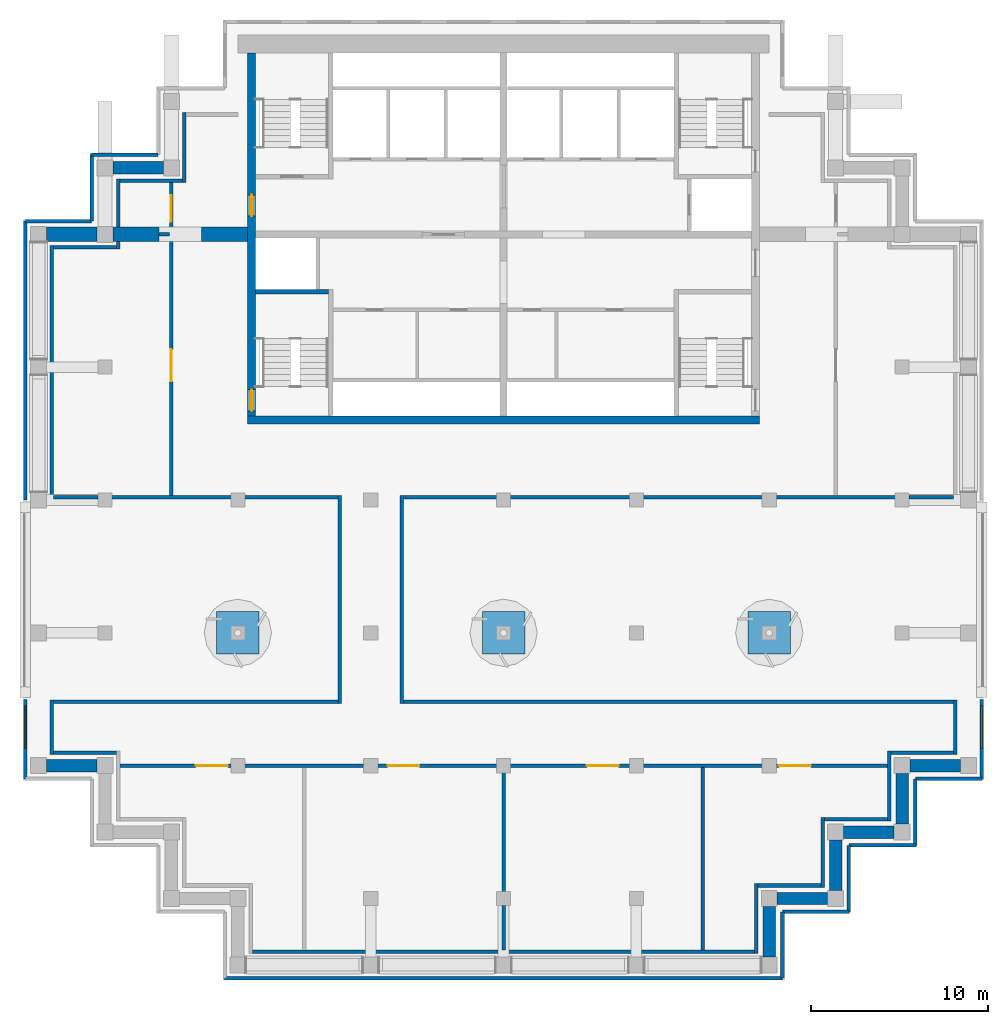
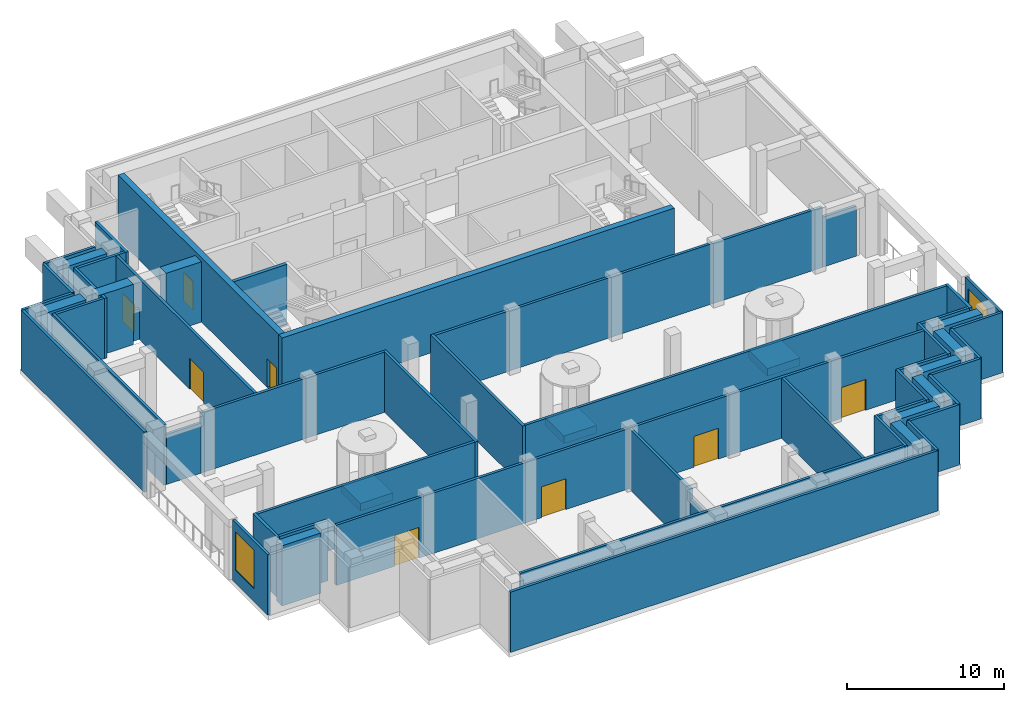
# One storey, part 2 of 8: 60 walls, 8 doors, 2 windows, 10 openings.
"""IFC4 building model written with IfcOpenShell, lengths in metres."""

from ifc_helpers import new_model, si_unit, direction, frame, frame_2d, origin, place, context, subcontext, project, spatial, rectangle, extrude, material, layer, layer_set, type_object, element, fill, save


model = new_model("IFC4")

# Units and contexts
model_context = context("Model", 3, precision=1e-05, world=origin(), true_north=direction((0.0, 1.0)))
body_context = subcontext(model_context, "Body", "Model", "MODEL_VIEW")
ifc_project = project(units=[si_unit("LENGTHUNIT", "METRE"), si_unit("AREAUNIT", "SQUARE_METRE"), si_unit("VOLUMEUNIT", "CUBIC_METRE"), si_unit("PLANEANGLEUNIT", "RADIAN"), si_unit("MASSUNIT", "GRAM", prefix="KILO")], contexts=[model_context])

# Site, building, storey
site_placement = place(None, origin())
site = spatial("IfcSite", under=ifc_project, at=site_placement, CompositionType="ELEMENT")
building_placement = place(site_placement, origin())
building = spatial("IfcBuilding", under=site, at=building_placement, Name="Pilkhan Gate Tower", CompositionType="ELEMENT")
storey_placement = place(building_placement, frame((0.0, 0.0, 253.5)))
storey = spatial("IfcBuildingStorey", under=building, at=storey_placement, Name="L66", CompositionType="ELEMENT", Elevation=253.5)

# Walls
ifc_material_1 = material(Name="Concrete C60/75", Category="concrete")
ifc_layer_1 = layer(ifc_material_1, 0.699951171875)
ifc_layer_set_1 = layer_set([ifc_layer_1], Name="Belt wall BW700 C60/75")
wall_type_1 = type_object("IfcWallType", Name="Belt wall BW700 C60/75", PredefinedType="SHEAR", material=ifc_layer_set_1)
for number, where, z_axis, x_axis, name in (
    (1, (100.800048828125, 52.5, 0.0), (0.0, 0.0, 1.0), (-1.0, 0.0, 0.0), "Belt wall 1 L66"),
    (2, (97.5, 52.050048828125, 0.0), (0.0, 0.0, 1.0), (0.0, -1.0, 0.0), "Belt wall 2 L66"),
    (3, (97.050048828125, 48.75, 0.0), (0.0, 0.0, 1.0), (-1.0, 0.0, 0.0), "Belt wall 3 L66"),
    (4, (93.75, 48.300048828125, 0.0), (0.0, 0.0, 1.0), (0.0, -1.0, 0.0), "Belt wall 4 L66"),
    (5, (93.300048828125, 45.0, 0.0), (0.0, 0.0, 1.0), (-1.0, 0.0, 0.0), "Belt wall 5 L66"),
    (6, (90.0, 44.550048828125, 0.0), (0.0, 0.0, 1.0), (0.0, -1.0, 0.0), "Belt wall 6 L66"),
    (7, (52.050048828125, 52.5, 0.0), (0.0, 0.0, 1.0), (-1.0, 0.0, 0.0), "Belt wall 16 L66"),
    (8, (52.949951171875, 86.25, 0.0), (0.0, 0.0, 1.0), (1.0, 0.0, 0.0), "Belt wall 19 L66"),
):
    element("IfcWall", number, at=place(storey_placement, frame(where, z_axis=z_axis, x_axis=x_axis)), inside=storey, type_object=wall_type_1, Name=name, PredefinedType="SHEAR", context=body_context, shape_type="SweptSolid", body=[
        extrude(rectangle(XDim=2.85009765625, YDim=0.699951171875, at=frame_2d((1.425048828125, 0.0))), origin(), (0.0, 0.0, 1.0), 4.699951171875),
    ])
ifc_material_2 = material(Name="Concrete C50/60", Category="concrete")
ifc_layer_2 = layer(ifc_material_2, 0.449951171875)
ifc_layer_set_2 = layer_set([ifc_layer_2], Name="Core wall CW450 C50/60")
wall_type_2 = type_object("IfcWallType", Name="Core wall CW450 C50/60", PredefinedType="SHEAR", material=ifc_layer_set_2)
wall_1_placement = place(storey_placement, frame((60.550048828125, 72.02490234375, 0.0), z_axis=(0.0, 0.0, 1.0), x_axis=(1.0, 0.0, 0.0)))
element("IfcWall", 9, at=wall_1_placement, inside=storey, type_object=wall_type_2, Name="Core wall S L66", PredefinedType="SHEAR", context=body_context, shape_type="SweptSolid", body=[
    extrude(rectangle(XDim=28.89990234375, YDim=0.449951171875, at=frame_2d((14.449951171875, 0.0))), origin(), (0.0, 0.0, 1.0), 5.0),
])

# Wall, openings, doors
wall_2_placement = place(storey_placement, frame((60.77490234375, 92.75, 0.0), z_axis=(0.0, 0.0, 1.0), x_axis=(0.0, -1.0, 0.0)))
wall_2 = element("IfcWall", 10, at=wall_2_placement, inside=storey, type_object=wall_type_2, Name="Core wall W L66", PredefinedType="SHEAR", context=body_context, shape_type="SweptSolid", body=[
    extrude(rectangle(XDim=20.5, YDim=0.449951171875, at=frame_2d((10.25, 0.0))), origin(), (0.0, 0.0, 1.0), 5.0),
])
opening_1_placement = place(wall_2_placement, frame((19.02490234375, 0.0, 0.0)))
opening_1 = element("IfcOpeningElement", 11, at=opening_1_placement, cuts=wall_2, Name="Opening L66-04", PredefinedType="OPENING", context=body_context, shape_type="SweptSolid", body=[
    extrude(rectangle(XDim=1.199951171875, YDim=2.199951171875, at=frame_2d((0.60009765625, 1.10009765625))), frame((0.0, 0.23486328125, 0.0), z_axis=(0.0, -1.0, 0.0), x_axis=(1.0, 0.0, 0.0)), (0.0, 0.0, 1.0), 0.469970703125),
])
opening_2_placement = place(wall_2_placement, frame((8.02490234375, 0.0, 0.0)))
opening_2 = element("IfcOpeningElement", 12, at=opening_2_placement, cuts=wall_2, Name="Opening L66-09", PredefinedType="OPENING", context=body_context, shape_type="SweptSolid", body=[
    extrude(rectangle(XDim=1.199951171875, YDim=2.199951171875, at=frame_2d((0.60009765625, 1.10009765625))), frame((0.0, 0.23486328125, 0.0), z_axis=(0.0, -1.0, 0.0), x_axis=(1.0, 0.0, 0.0)), (0.0, 0.0, 1.0), 0.469970703125),
])
ifc_material_3 = material(Name="Steel door, 120 minute fire resisting, self-closing", Category="steel")
door_type_1 = type_object("IfcDoorType", Name="Firefighting lobby door D10 1200x2200", OperationType="SINGLE_SWING_LEFT", PredefinedType="DOOR", material=ifc_material_3)
door_1_placement = place(opening_2_placement, origin())
door_1 = element("IfcDoor", 13, at=door_1_placement, inside=storey, type_object=door_type_1, Name="Core door", OperationType="SINGLE_SWING_RIGHT", OverallHeight=2.199951171875, OverallWidth=1.199951171875, PredefinedType="DOOR", context=body_context, shape_type="SweptSolid", body=[
    extrude(rectangle(XDim=1.199951171875, YDim=2.199951171875, at=frame_2d((0.60009765625, 1.10009765625))), frame((0.0, 0.02490234375, 0.0), z_axis=(0.0, -1.0, 0.0), x_axis=(1.0, 0.0, 0.0)), (0.0, 0.0, 1.0), 0.050048828125),
])
fill(opening_2, door_1)
ifc_material_4 = material(Name="Steel door, 120 minute fire resisting, panic bar", Category="steel")
door_type_2 = type_object("IfcDoorType", Name="Stair door D11 1200x2200", OperationType="SINGLE_SWING_LEFT", PredefinedType="DOOR", material=ifc_material_4)
door_2_placement = place(opening_1_placement, origin())
door_2 = element("IfcDoor", 14, at=door_2_placement, inside=storey, type_object=door_type_2, Name="Stair ST2 door", OperationType="SINGLE_SWING_LEFT", OverallHeight=2.199951171875, OverallWidth=1.199951171875, PredefinedType="DOOR", context=body_context, shape_type="SweptSolid", body=[
    extrude(rectangle(XDim=1.199951171875, YDim=2.199951171875, at=frame_2d((0.60009765625, 1.10009765625))), frame((0.0, 0.02490234375, 0.0), z_axis=(0.0, -1.0, 0.0), x_axis=(1.0, 0.0, 0.0)), (0.0, 0.0, 1.0), 0.050048828125),
])
fill(opening_1, door_2)

# Walls
ifc_material_5 = material(Name="Dense blockwork", Category="masonry")
ifc_layer_3 = layer(ifc_material_5, 0.199951171875)
ifc_layer_set_3 = layer_set([ifc_layer_3], Name="Lobby wall LW200")
wall_type_3 = type_object("IfcWallType", Name="Lobby wall LW200", PredefinedType="PARTITIONING", material=ifc_layer_set_3)
wall_3_placement = place(storey_placement, frame((60.8349609375, 41.985107421875, 0.0), z_axis=(0.0, 0.0, 1.0), x_axis=(1.0, 0.0, 0.0)))
element("IfcWall", 15, at=wall_3_placement, inside=storey, type_object=wall_type_3, Name="Partition L66", PredefinedType="PARTITIONING", context=body_context, shape_type="SweptSolid", body=[
    extrude(rectangle(XDim=28.330078125, YDim=0.199951171875, at=frame_2d((14.1650390625, 0.0))), origin(), (0.0, 0.0, 1.0), 4.699951171875),
])
for number, where, z_axis, x_axis, name in (
    (16, (89.364990234375, 45.735107421875, 0.0), (0.0, 0.0, 1.0), (1.0, 0.0, 0.0), "Partition L66"),
    (17, (93.114990234375, 49.485107421875, 0.0), (0.0, 0.0, 1.0), (1.0, 0.0, 0.0), "Partition L66"),
):
    element("IfcWall", number, at=place(storey_placement, frame(where, z_axis=z_axis, x_axis=x_axis)), inside=storey, type_object=wall_type_3, Name=name, PredefinedType="PARTITIONING", context=body_context, shape_type="SweptSolid", body=[
        extrude(rectangle(XDim=3.550048828125, YDim=0.199951171875, at=frame_2d((1.77490234375, 0.0))), origin(), (0.0, 0.0, 1.0), 4.699951171875),
    ])

# Wall, openings, doors
wall_4_placement = place(storey_placement, frame((53.3349609375, 52.5, 0.0), z_axis=(0.0, 0.0, 1.0), x_axis=(1.0, 0.0, 0.0)))
wall_4 = element("IfcWall", 18, at=wall_4_placement, inside=storey, type_object=wall_type_3, Name="Partition L66", PredefinedType="PARTITIONING", context=body_context, shape_type="SweptSolid", body=[
    extrude(rectangle(XDim=43.330078125, YDim=0.199951171875, at=frame_2d((21.6650390625, 0.0))), origin(), (0.0, 0.0, 1.0), 4.699951171875),
])
opening_3_placement = place(wall_4_placement, frame((4.300048828125, 0.0, 0.0)))
opening_3 = element("IfcOpeningElement", 19, at=opening_3_placement, cuts=wall_4, Name="Opening L66-14", PredefinedType="OPENING", context=body_context, shape_type="SweptSolid", body=[
    extrude(rectangle(XDim=1.800048828125, YDim=2.39990234375, at=frame_2d((0.89990234375, 1.199951171875))), frame((0.0, 0.10986328125, 0.0), z_axis=(0.0, -1.0, 0.0), x_axis=(1.0, 0.0, 0.0)), (0.0, 0.0, 1.0), 0.219970703125),
])
opening_4_placement = place(wall_4_placement, frame((15.114990234375, 0.0, 0.0)))
opening_4 = element("IfcOpeningElement", 20, at=opening_4_placement, cuts=wall_4, Name="Opening L66-15", PredefinedType="OPENING", context=body_context, shape_type="SweptSolid", body=[
    extrude(rectangle(XDim=1.800048828125, YDim=2.39990234375, at=frame_2d((0.89990234375, 1.199951171875))), frame((0.0, 0.10986328125, 0.0), z_axis=(0.0, -1.0, 0.0), x_axis=(1.0, 0.0, 0.0)), (0.0, 0.0, 1.0), 0.219970703125),
])
opening_5_placement = place(wall_4_placement, frame((26.364990234375, 0.0, 0.0)))
opening_5 = element("IfcOpeningElement", 21, at=opening_5_placement, cuts=wall_4, Name="Opening L66-16", PredefinedType="OPENING", context=body_context, shape_type="SweptSolid", body=[
    extrude(rectangle(XDim=1.800048828125, YDim=2.39990234375, at=frame_2d((0.89990234375, 1.199951171875))), frame((0.0, 0.10986328125, 0.0), z_axis=(0.0, -1.0, 0.0), x_axis=(1.0, 0.0, 0.0)), (0.0, 0.0, 1.0), 0.219970703125),
])
opening_6_placement = place(wall_4_placement, frame((37.215087890625, 0.0, 0.0)))
opening_6 = element("IfcOpeningElement", 22, at=opening_6_placement, cuts=wall_4, Name="Opening L66-17", PredefinedType="OPENING", context=body_context, shape_type="SweptSolid", body=[
    extrude(rectangle(XDim=1.800048828125, YDim=2.39990234375, at=frame_2d((0.89990234375, 1.199951171875))), frame((0.0, 0.10986328125, 0.0), z_axis=(0.0, -1.0, 0.0), x_axis=(1.0, 0.0, 0.0)), (0.0, 0.0, 1.0), 0.219970703125),
])
ifc_material_6 = material(Name="Steel door, 120 minute fire resisting", Category="steel")
door_type_3 = type_object("IfcDoorType", Name="Plant room door D08 1800x2400", OperationType="DOUBLE_DOOR_SINGLE_SWING", PredefinedType="DOOR", material=ifc_material_6)
door_3_placement = place(opening_3_placement, origin())
door_3 = element("IfcDoor", 23, at=door_3_placement, inside=storey, type_object=door_type_3, Name="Plant room door", OperationType="DOUBLE_DOOR_SINGLE_SWING", OverallHeight=2.39990234375, OverallWidth=1.800048828125, PredefinedType="DOOR", context=body_context, shape_type="SweptSolid", body=[
    extrude(rectangle(XDim=1.800048828125, YDim=2.39990234375, at=frame_2d((0.89990234375, 1.199951171875))), frame((0.0, 0.02490234375, 0.0), z_axis=(0.0, -1.0, 0.0), x_axis=(1.0, 0.0, 0.0)), (0.0, 0.0, 1.0), 0.050048828125),
])
fill(opening_3, door_3)
door_4_placement = place(opening_4_placement, origin())
door_4 = element("IfcDoor", 24, at=door_4_placement, inside=storey, type_object=door_type_3, Name="Plant room door", OperationType="DOUBLE_DOOR_SINGLE_SWING", OverallHeight=2.39990234375, OverallWidth=1.800048828125, PredefinedType="DOOR", context=body_context, shape_type="SweptSolid", body=[
    extrude(rectangle(XDim=1.800048828125, YDim=2.39990234375, at=frame_2d((0.89990234375, 1.199951171875))), frame((0.0, 0.02490234375, 0.0), z_axis=(0.0, -1.0, 0.0), x_axis=(1.0, 0.0, 0.0)), (0.0, 0.0, 1.0), 0.050048828125),
])
fill(opening_4, door_4)
door_5_placement = place(opening_5_placement, origin())
door_5 = element("IfcDoor", 25, at=door_5_placement, inside=storey, type_object=door_type_3, Name="Plant room door", OperationType="DOUBLE_DOOR_SINGLE_SWING", OverallHeight=2.39990234375, OverallWidth=1.800048828125, PredefinedType="DOOR", context=body_context, shape_type="SweptSolid", body=[
    extrude(rectangle(XDim=1.800048828125, YDim=2.39990234375, at=frame_2d((0.89990234375, 1.199951171875))), frame((0.0, 0.02490234375, 0.0), z_axis=(0.0, -1.0, 0.0), x_axis=(1.0, 0.0, 0.0)), (0.0, 0.0, 1.0), 0.050048828125),
])
fill(opening_5, door_5)
door_6_placement = place(opening_6_placement, origin())
door_6 = element("IfcDoor", 26, at=door_6_placement, inside=storey, type_object=door_type_3, Name="Plant room door", OperationType="DOUBLE_DOOR_SINGLE_SWING", OverallHeight=2.39990234375, OverallWidth=1.800048828125, PredefinedType="DOOR", context=body_context, shape_type="SweptSolid", body=[
    extrude(rectangle(XDim=1.800048828125, YDim=2.39990234375, at=frame_2d((0.89990234375, 1.199951171875))), frame((0.0, 0.02490234375, 0.0), z_axis=(0.0, -1.0, 0.0), x_axis=(1.0, 0.0, 0.0)), (0.0, 0.0, 1.0), 0.050048828125),
])
fill(opening_6, door_6)

# Walls
for number, where, z_axis, x_axis, name in (
    (27, (49.5849609375, 53.235107421875, 0.0), (0.0, 0.0, 1.0), (1.0, 0.0, 0.0), "Partition L66"),
    (28, (96.864990234375, 53.235107421875, 0.0), (0.0, 0.0, 1.0), (1.0, 0.0, 0.0), "Partition L66"),
):
    element("IfcWall", number, at=place(storey_placement, frame(where, z_axis=z_axis, x_axis=x_axis)), inside=storey, type_object=wall_type_3, Name=name, PredefinedType="PARTITIONING", context=body_context, shape_type="SweptSolid", body=[
        extrude(rectangle(XDim=3.550048828125, YDim=0.199951171875, at=frame_2d((1.77490234375, 0.0))), origin(), (0.0, 0.0, 1.0), 4.699951171875),
    ])
wall_5_placement = place(storey_placement, frame((49.5849609375, 56.10009765625, 0.0), z_axis=(0.0, 0.0, 1.0), x_axis=(1.0, 0.0, 0.0)))
element("IfcWall", 29, at=wall_5_placement, inside=storey, type_object=wall_type_3, Name="Partition L66", PredefinedType="PARTITIONING", context=body_context, shape_type="SweptSolid", body=[
    extrude(rectangle(XDim=16.06494140625, YDim=0.199951171875, at=frame_2d((8.032470703125, 0.0))), origin(), (0.0, 0.0, 1.0), 4.699951171875),
])
wall_6_placement = place(storey_placement, frame((69.35009765625, 56.10009765625, 0.0), z_axis=(0.0, 0.0, 1.0), x_axis=(1.0, 0.0, 0.0)))
element("IfcWall", 30, at=wall_6_placement, inside=storey, type_object=wall_type_3, Name="Partition L66", PredefinedType="PARTITIONING", context=body_context, shape_type="SweptSolid", body=[
    extrude(rectangle(XDim=31.06494140625, YDim=0.199951171875, at=frame_2d((15.532470703125, 0.0))), origin(), (0.0, 0.0, 1.0), 4.699951171875),
])
wall_7_placement = place(storey_placement, frame((49.5849609375, 67.64990234375, 0.0), z_axis=(0.0, 0.0, 1.0), x_axis=(1.0, 0.0, 0.0)))
element("IfcWall", 31, at=wall_7_placement, inside=storey, type_object=wall_type_3, Name="Partition L66", PredefinedType="PARTITIONING", context=body_context, shape_type="SweptSolid", body=[
    extrude(rectangle(XDim=2.51611328125, YDim=0.199951171875, at=frame_2d((1.258056640625, 0.0))), origin(), (0.0, 0.0, 1.0), 3.89990234375),
])
wall_8_placement = place(storey_placement, frame((52.10107421875, 67.64990234375, 0.0), z_axis=(0.0, 0.0, 1.0), x_axis=(1.0, 0.0, 0.0)))
element("IfcWall", 32, at=wall_8_placement, inside=storey, type_object=wall_type_3, Name="Partition L66", PredefinedType="PARTITIONING", context=body_context, shape_type="SweptSolid", body=[
    extrude(rectangle(XDim=13.548828125, YDim=0.199951171875, at=frame_2d((6.7744140625, 0.0))), origin(), (0.0, 0.0, 1.0), 4.699951171875),
])
wall_9_placement = place(storey_placement, frame((69.35009765625, 67.64990234375, 0.0), z_axis=(0.0, 0.0, 1.0), x_axis=(1.0, 0.0, 0.0)))
element("IfcWall", 33, at=wall_9_placement, inside=storey, type_object=wall_type_3, Name="Partition L66", PredefinedType="PARTITIONING", context=body_context, shape_type="SweptSolid", body=[
    extrude(rectangle(XDim=28.5498046875, YDim=0.199951171875, at=frame_2d((14.27490234375, 0.0))), origin(), (0.0, 0.0, 1.0), 4.699951171875),
])
wall_10_placement = place(storey_placement, frame((97.89990234375, 67.64990234375, 0.0), z_axis=(0.0, 0.0, 1.0), x_axis=(1.0, 0.0, 0.0)))
element("IfcWall", 34, at=wall_10_placement, inside=storey, type_object=wall_type_3, Name="Partition L66", PredefinedType="PARTITIONING", context=body_context, shape_type="SweptSolid", body=[
    extrude(rectangle(XDim=2.51513671875, YDim=0.199951171875, at=frame_2d((1.257568359375, 0.0))), origin(), (0.0, 0.0, 1.0), 3.89990234375),
])
wall_11_placement = place(storey_placement, frame((49.5849609375, 81.764892578125, 0.0), z_axis=(0.0, 0.0, 1.0), x_axis=(1.0, 0.0, 0.0)))
element("IfcWall", 35, at=wall_11_placement, inside=storey, type_object=wall_type_3, Name="Partition L66", PredefinedType="PARTITIONING", context=body_context, shape_type="SweptSolid", body=[
    extrude(rectangle(XDim=3.550048828125, YDim=0.199951171875, at=frame_2d((1.77490234375, 0.0))), origin(), (0.0, 0.0, 1.0), 4.699951171875),
])
wall_12_placement = place(storey_placement, frame((55.550048828125, 82.5, 0.0), z_axis=(0.0, 0.0, 1.0), x_axis=(1.0, 0.0, 0.0)))
element("IfcWall", 36, at=wall_12_placement, inside=storey, type_object=wall_type_3, Name="Partition L66", PredefinedType="PARTITIONING", context=body_context, shape_type="SweptSolid", body=[
    extrude(rectangle(XDim=0.599853515625, YDim=0.199951171875, at=frame_2d((0.2998046875, 0.0))), origin(), (0.0, 0.0, 1.0), 2.39990234375),
])
wall_13_placement = place(storey_placement, frame((53.3349609375, 85.514892578125, 0.0), z_axis=(0.0, 0.0, 1.0), x_axis=(1.0, 0.0, 0.0)))
element("IfcWall", 37, at=wall_13_placement, inside=storey, type_object=wall_type_3, Name="Partition L66", PredefinedType="PARTITIONING", context=body_context, shape_type="SweptSolid", body=[
    extrude(rectangle(XDim=3.550048828125, YDim=0.199951171875, at=frame_2d((1.77490234375, 0.0))), origin(), (0.0, 0.0, 1.0), 4.699951171875),
])
wall_14_placement = place(storey_placement, frame((49.485107421875, 53.135009765625, 0.0), z_axis=(0.0, 0.0, 1.0), x_axis=(0.0, 1.0, 0.0)))
element("IfcWall", 38, at=wall_14_placement, inside=storey, type_object=wall_type_3, Name="Partition L66", PredefinedType="PARTITIONING", context=body_context, shape_type="SweptSolid", body=[
    extrude(rectangle(XDim=3.06494140625, YDim=0.199951171875, at=frame_2d((1.532470703125, 0.0))), origin(), (0.0, 0.0, 1.0), 4.699951171875),
])
wall_15_placement = place(storey_placement, frame((49.485107421875, 67.550048828125, 0.0), z_axis=(0.0, 0.0, 1.0), x_axis=(0.0, 1.0, 0.0)))
element("IfcWall", 39, at=wall_15_placement, inside=storey, type_object=wall_type_3, Name="Partition L66", PredefinedType="PARTITIONING", context=body_context, shape_type="SweptSolid", body=[
    extrude(rectangle(XDim=14.31494140625, YDim=0.199951171875, at=frame_2d((7.157470703125, 0.0))), origin(), (0.0, 0.0, 1.0), 4.699951171875),
])
wall_16_placement = place(storey_placement, frame((53.235107421875, 81.6650390625, 0.0), z_axis=(0.0, 0.0, 1.0), x_axis=(0.0, 1.0, 0.0)))
element("IfcWall", 40, at=wall_16_placement, inside=storey, type_object=wall_type_3, Name="Partition L66", PredefinedType="PARTITIONING", context=body_context, shape_type="SweptSolid", body=[
    extrude(rectangle(XDim=0.425048828125, YDim=0.199951171875, at=frame_2d((0.21240234375, 0.0))), origin(), (0.0, 0.0, 1.0), 4.699951171875),
])
wall_17_placement = place(storey_placement, frame((53.235107421875, 82.909912109375, 0.0), z_axis=(0.0, 0.0, 1.0), x_axis=(0.0, 1.0, 0.0)))
element("IfcWall", 41, at=wall_17_placement, inside=storey, type_object=wall_type_3, Name="Partition L66", PredefinedType="PARTITIONING", context=body_context, shape_type="SweptSolid", body=[
    extrude(rectangle(XDim=2.705078125, YDim=0.199951171875, at=frame_2d((1.3525390625, 0.0))), origin(), (0.0, 0.0, 1.0), 4.699951171875),
])

# Wall, openings, doors
wall_18_placement = place(storey_placement, frame((56.25, 67.75, 0.0), z_axis=(0.0, 0.0, 1.0), x_axis=(0.0, 1.0, 0.0)))
wall_18 = element("IfcWall", 42, at=wall_18_placement, inside=storey, type_object=wall_type_3, Name="Partition L66", PredefinedType="PARTITIONING", context=body_context, shape_type="SweptSolid", body=[
    extrude(rectangle(XDim=17.6650390625, YDim=0.199951171875, at=frame_2d((8.83251953125, 0.0))), origin(), (0.0, 0.0, 1.0), 4.699951171875),
])
opening_7_placement = place(wall_18_placement, frame((15.449951171875, 0.0, 0.0)))
opening_7 = element("IfcOpeningElement", 43, at=opening_7_placement, cuts=wall_18, Name="Opening L66-06", PredefinedType="OPENING", context=body_context, shape_type="SweptSolid", body=[
    extrude(rectangle(XDim=1.5, YDim=2.199951171875, at=frame_2d((0.75, 1.10009765625))), frame((0.0, 0.10986328125, 0.0), z_axis=(0.0, -1.0, 0.0), x_axis=(1.0, 0.0, 0.0)), (0.0, 0.0, 1.0), 0.219970703125),
])
opening_8_placement = place(wall_18_placement, frame((6.449951171875, 0.0, 0.0)))
opening_8 = element("IfcOpeningElement", 44, at=opening_8_placement, cuts=wall_18, Name="Opening L66-18", PredefinedType="OPENING", context=body_context, shape_type="SweptSolid", body=[
    extrude(rectangle(XDim=1.800048828125, YDim=2.39990234375, at=frame_2d((0.89990234375, 1.199951171875))), frame((0.0, 0.10986328125, 0.0), z_axis=(0.0, -1.0, 0.0), x_axis=(1.0, 0.0, 0.0)), (0.0, 0.0, 1.0), 0.219970703125),
])
ifc_material_7 = material(Name="Steel framed glazed door, 60 minute fire resisting", Category="steel")
door_type_4 = type_object("IfcDoorType", Name="Lobby door D09 1500x2200", OperationType="DOUBLE_DOOR_SINGLE_SWING", PredefinedType="DOOR", material=ifc_material_7)
door_7_placement = place(opening_7_placement, origin())
door_7 = element("IfcDoor", 45, at=door_7_placement, inside=storey, type_object=door_type_4, Name="Refuge door", OperationType="DOUBLE_DOOR_SINGLE_SWING", OverallHeight=2.199951171875, OverallWidth=1.5, PredefinedType="DOOR", context=body_context, shape_type="SweptSolid", body=[
    extrude(rectangle(XDim=1.5, YDim=2.199951171875, at=frame_2d((0.75, 1.10009765625))), frame((0.0, 0.02490234375, 0.0), z_axis=(0.0, -1.0, 0.0), x_axis=(1.0, 0.0, 0.0)), (0.0, 0.0, 1.0), 0.050048828125),
])
fill(opening_7, door_7)
door_8_placement = place(opening_8_placement, origin())
door_8 = element("IfcDoor", 46, at=door_8_placement, inside=storey, type_object=door_type_3, Name="Plant room door", OperationType="DOUBLE_DOOR_SINGLE_SWING", OverallHeight=2.39990234375, OverallWidth=1.800048828125, PredefinedType="DOOR", context=body_context, shape_type="SweptSolid", body=[
    extrude(rectangle(XDim=1.800048828125, YDim=2.39990234375, at=frame_2d((0.89990234375, 1.199951171875))), frame((0.0, 0.02490234375, 0.0), z_axis=(0.0, -1.0, 0.0), x_axis=(1.0, 0.0, 0.0)), (0.0, 0.0, 1.0), 0.050048828125),
])
fill(opening_8, door_8)

# Walls
wall_19_placement = place(storey_placement, frame((56.985107421875, 85.4150390625, 0.0), z_axis=(0.0, 0.0, 1.0), x_axis=(0.0, 1.0, 0.0)))
element("IfcWall", 47, at=wall_19_placement, inside=storey, type_object=wall_type_3, Name="Partition L66", PredefinedType="PARTITIONING", context=body_context, shape_type="SweptSolid", body=[
    extrude(rectangle(XDim=3.949951171875, YDim=0.199951171875, at=frame_2d((1.97509765625, 0.0))), origin(), (0.0, 0.0, 1.0), 4.699951171875),
])
for number, where, z_axis, x_axis, name in (
    (48, (65.75, 56.0, 0.0), (0.0, 0.0, 1.0), (0.0, 1.0, 0.0), "Partition L66"),
    (49, (69.25, 56.0, 0.0), (0.0, 0.0, 1.0), (0.0, 1.0, 0.0), "Partition L66"),
):
    element("IfcWall", number, at=place(storey_placement, frame(where, z_axis=z_axis, x_axis=x_axis)), inside=storey, type_object=wall_type_3, Name=name, PredefinedType="PARTITIONING", context=body_context, shape_type="SweptSolid", body=[
        extrude(rectangle(XDim=11.75, YDim=0.199951171875, at=frame_2d((5.875, 0.0))), origin(), (0.0, 0.0, 1.0), 4.699951171875),
    ])
wall_20_placement = place(storey_placement, frame((75.0, 42.0849609375, 0.0), z_axis=(0.0, 0.0, 1.0), x_axis=(0.0, 1.0, 0.0)))
element("IfcWall", 50, at=wall_20_placement, inside=storey, type_object=wall_type_3, Name="Partition L66", PredefinedType="PARTITIONING", context=body_context, shape_type="SweptSolid", body=[
    extrude(rectangle(XDim=2.51611328125, YDim=0.199951171875, at=frame_2d((1.258056640625, 0.0))), origin(), (0.0, 0.0, 1.0), 3.89990234375),
])
wall_21_placement = place(storey_placement, frame((75.0, 44.60107421875, 0.0), z_axis=(0.0, 0.0, 1.0), x_axis=(0.0, 1.0, 0.0)))
element("IfcWall", 51, at=wall_21_placement, inside=storey, type_object=wall_type_3, Name="Partition L66", PredefinedType="PARTITIONING", context=body_context, shape_type="SweptSolid", body=[
    extrude(rectangle(XDim=7.798828125, YDim=0.199951171875, at=frame_2d((3.8994140625, 0.0))), origin(), (0.0, 0.0, 1.0), 4.699951171875),
])
wall_22_placement = place(storey_placement, frame((86.25, 42.0849609375, 0.0), z_axis=(0.0, 0.0, 1.0), x_axis=(0.0, 1.0, 0.0)))
element("IfcWall", 52, at=wall_22_placement, inside=storey, type_object=wall_type_3, Name="Partition L66", PredefinedType="PARTITIONING", context=body_context, shape_type="SweptSolid", body=[
    extrude(rectangle(XDim=10.31494140625, YDim=0.199951171875, at=frame_2d((5.157470703125, 0.0))), origin(), (0.0, 0.0, 1.0), 4.699951171875),
])
for number, where, z_axis, x_axis, name in (
    (53, (89.264892578125, 41.885009765625, 0.0), (0.0, 0.0, 1.0), (0.0, 1.0, 0.0), "Partition L66"),
    (54, (93.014892578125, 45.635009765625, 0.0), (0.0, 0.0, 1.0), (0.0, 1.0, 0.0), "Partition L66"),
    (55, (96.764892578125, 49.385009765625, 0.0), (0.0, 0.0, 1.0), (0.0, 1.0, 0.0), "Partition L66"),
):
    element("IfcWall", number, at=place(storey_placement, frame(where, z_axis=z_axis, x_axis=x_axis)), inside=storey, type_object=wall_type_3, Name=name, PredefinedType="PARTITIONING", context=body_context, shape_type="SweptSolid", body=[
        extrude(rectangle(XDim=3.949951171875, YDim=0.199951171875, at=frame_2d((1.97509765625, 0.0))), origin(), (0.0, 0.0, 1.0), 4.699951171875),
    ])
wall_23_placement = place(storey_placement, frame((100.514892578125, 53.135009765625, 0.0), z_axis=(0.0, 0.0, 1.0), x_axis=(0.0, 1.0, 0.0)))
element("IfcWall", 56, at=wall_23_placement, inside=storey, type_object=wall_type_3, Name="Partition L66", PredefinedType="PARTITIONING", context=body_context, shape_type="SweptSolid", body=[
    extrude(rectangle(XDim=3.06494140625, YDim=0.199951171875, at=frame_2d((1.532470703125, 0.0))), origin(), (0.0, 0.0, 1.0), 4.699951171875),
])
ifc_layer_4 = layer(ifc_material_1, 0.800048828125)
ifc_layer_set_4 = layer_set([ifc_layer_4], Name="Outrigger wall OW800 C60/75")
wall_type_4 = type_object("IfcWallType", Name="Outrigger wall OW800 C60/75", PredefinedType="SHEAR", material=ifc_layer_set_4)
wall_24_placement = place(storey_placement, frame((49.199951171875, 82.5, 0.0), z_axis=(0.0, 0.0, 1.0), x_axis=(1.0, 0.0, 0.0)))
element("IfcWall", 57, at=wall_24_placement, inside=storey, type_object=wall_type_4, Name="Outrigger wall 1 L66", PredefinedType="SHEAR", context=body_context, shape_type="SweptSolid", body=[
    extrude(rectangle(XDim=2.85009765625, YDim=0.800048828125, at=frame_2d((1.425048828125, 0.0))), origin(), (0.0, 0.0, 1.0), 4.699951171875),
])
for number, where, z_axis, x_axis, name in (
    (58, (52.949951171875, 82.5, 0.0), (0.0, 0.0, 1.0), (1.0, 0.0, 0.0), "Outrigger wall 2 L66"),
    (59, (57.949951171875, 82.5, 0.0), (0.0, 0.0, 1.0), (1.0, 0.0, 0.0), "Outrigger wall 3 L66"),
):
    element("IfcWall", number, at=place(storey_placement, frame(where, z_axis=z_axis, x_axis=x_axis)), inside=storey, type_object=wall_type_4, Name=name, PredefinedType="SHEAR", context=body_context, shape_type="SweptSolid", body=[
        extrude(rectangle(XDim=2.60009765625, YDim=0.800048828125, at=frame_2d((1.300048828125, 0.0))), origin(), (0.0, 0.0, 1.0), 4.699951171875),
    ])

# Wall, opening, window
ifc_material_8 = material(Name="Pale anodised aluminium cladding", Category="aluminium")
ifc_layer_5 = layer(ifc_material_8, 0.199951171875)
ifc_layer_set_5 = layer_set([ifc_layer_5], Name="Plant screen wall PS200")
wall_type_5 = type_object("IfcWallType", Name="Plant screen wall PS200", PredefinedType="SOLIDWALL", material=ifc_layer_set_5)
wall_25_placement = place(storey_placement, frame((102.0, 51.75, 0.0), z_axis=(0.0, 0.0, 1.0), x_axis=(0.0, 1.0, 0.0)))
wall_25 = element("IfcWall", 60, at=wall_25_placement, inside=storey, type_object=wall_type_5, Name="Plant screen wall L66 E", PredefinedType="SOLIDWALL", context=body_context, shape_type="SweptSolid", body=[
    extrude(rectangle(XDim=4.5, YDim=0.199951171875, at=frame_2d((2.25, 0.0))), origin(), (0.0, 0.0, 1.0), 4.699951171875),
])
opening_9_placement = place(wall_25_placement, frame((1.72509765625, 0.0, 1.0)))
opening_9 = element("IfcOpeningElement", 61, at=opening_9_placement, cuts=wall_25, Name="Opening WL1", PredefinedType="OPENING", context=body_context, shape_type="SweptSolid", body=[
    extrude(rectangle(XDim=2.39990234375, YDim=3.0, at=frame_2d((1.199951171875, 1.5))), frame((0.0, 0.10986328125, 0.0), z_axis=(0.0, -1.0, 0.0), x_axis=(1.0, 0.0, 0.0)), (0.0, 0.0, 1.0), 0.219970703125),
])
ifc_material_9 = material(Name="Pale anodised aluminium storm louvre, bird mesh", Category="aluminium")
window_type = type_object("IfcWindowType", Name="Plant louvre WL1 2400x3000", PartitioningType="SINGLE_PANEL", PredefinedType="USERDEFINED", material=ifc_material_9)
window_1_placement = place(opening_9_placement, origin())
window_1 = element("IfcWindow", 62, at=window_1_placement, inside=storey, type_object=window_type, Name="Louvre L66", ObjectType="LOUVRE", OverallHeight=3.0, OverallWidth=2.39990234375, PartitioningType="SINGLE_PANEL", PredefinedType="USERDEFINED", context=body_context, shape_type="SweptSolid", body=[
    extrude(rectangle(XDim=2.39990234375, YDim=3.0, at=frame_2d((1.199951171875, 1.5))), frame((0.0, 0.030029296875, 0.0), z_axis=(0.0, -1.0, 0.0), x_axis=(1.0, 0.0, 0.0)), (0.0, 0.0, 1.0), 0.06005859375),
])
fill(opening_9, window_1)

# Walls
for number, where, z_axis, x_axis, name in (
    (63, (51.75, 87.0, 0.0), (0.0, 0.0, 1.0), (1.0, 0.0, 0.0), "Plant screen wall L66 N"),
    (64, (51.75, 83.25, 0.0), (0.0, 0.0, 1.0), (0.0, 1.0, 0.0), "Plant screen wall L66 W"),
    (65, (48.0, 83.25, 0.0), (0.0, 0.0, 1.0), (1.0, 0.0, 0.0), "Plant screen wall L66 N"),
):
    element("IfcWall", number, at=place(storey_placement, frame(where, z_axis=z_axis, x_axis=x_axis)), inside=storey, type_object=wall_type_5, Name=name, PredefinedType="SOLIDWALL", context=body_context, shape_type="SweptSolid", body=[
        extrude(rectangle(XDim=3.75, YDim=0.199951171875, at=frame_2d((1.875, 0.0))), origin(), (0.0, 0.0, 1.0), 4.699951171875),
    ])

# Wall, opening, window
wall_26_placement = place(storey_placement, frame((48.0, 51.75, 0.0), z_axis=(0.0, 0.0, 1.0), x_axis=(0.0, 1.0, 0.0)))
wall_26 = element("IfcWall", 66, at=wall_26_placement, inside=storey, type_object=wall_type_5, Name="Plant screen wall L66 W", PredefinedType="SOLIDWALL", context=body_context, shape_type="SweptSolid", body=[
    extrude(rectangle(XDim=4.5, YDim=0.199951171875, at=frame_2d((2.25, 0.0))), origin(), (0.0, 0.0, 1.0), 4.699951171875),
])
opening_10_placement = place(wall_26_placement, frame((1.72509765625, 0.0, 1.0)))
opening_10 = element("IfcOpeningElement", 67, at=opening_10_placement, cuts=wall_26, Name="Opening WL1", PredefinedType="OPENING", context=body_context, shape_type="SweptSolid", body=[
    extrude(rectangle(XDim=2.39990234375, YDim=3.0, at=frame_2d((1.199951171875, 1.5))), frame((0.0, 0.10986328125, 0.0), z_axis=(0.0, -1.0, 0.0), x_axis=(1.0, 0.0, 0.0)), (0.0, 0.0, 1.0), 0.219970703125),
])
window_2_placement = place(opening_10_placement, origin())
window_2 = element("IfcWindow", 68, at=window_2_placement, inside=storey, type_object=window_type, Name="Louvre L66", ObjectType="LOUVRE", OverallHeight=3.0, OverallWidth=2.39990234375, PartitioningType="SINGLE_PANEL", PredefinedType="USERDEFINED", context=body_context, shape_type="SweptSolid", body=[
    extrude(rectangle(XDim=2.39990234375, YDim=3.0, at=frame_2d((1.199951171875, 1.5))), frame((0.0, 0.030029296875, 0.0), z_axis=(0.0, -1.0, 0.0), x_axis=(1.0, 0.0, 0.0)), (0.0, 0.0, 1.0), 0.06005859375),
])
fill(opening_10, window_2)

# Walls
wall_27_placement = place(storey_placement, frame((48.0, 67.5, 0.0), z_axis=(0.0, 0.0, 1.0), x_axis=(0.0, 1.0, 0.0)))
element("IfcWall", 69, at=wall_27_placement, inside=storey, type_object=wall_type_5, Name="Plant screen wall L66 W", PredefinedType="SOLIDWALL", context=body_context, shape_type="SweptSolid", body=[
    extrude(rectangle(XDim=15.75, YDim=0.199951171875, at=frame_2d((7.875, 0.0))), origin(), (0.0, 0.0, 1.0), 4.699951171875),
])
wall_28_placement = place(storey_placement, frame((59.25, 40.5, 0.0), z_axis=(0.0, 0.0, 1.0), x_axis=(1.0, 0.0, 0.0)))
element("IfcWall", 70, at=wall_28_placement, inside=storey, type_object=wall_type_5, Name="Plant screen wall L66 S", PredefinedType="SOLIDWALL", context=body_context, shape_type="SweptSolid", body=[
    extrude(rectangle(XDim=31.5, YDim=0.199951171875, at=frame_2d((15.75, 0.0))), origin(), (0.0, 0.0, 1.0), 4.699951171875),
])
for number, where, z_axis, x_axis, name in (
    (71, (90.75, 40.5, 0.0), (0.0, 0.0, 1.0), (0.0, 1.0, 0.0), "Plant screen wall L66 E"),
    (72, (90.75, 44.25, 0.0), (0.0, 0.0, 1.0), (1.0, 0.0, 0.0), "Plant screen wall L66 S"),
    (73, (94.5, 44.25, 0.0), (0.0, 0.0, 1.0), (0.0, 1.0, 0.0), "Plant screen wall L66 E"),
    (74, (94.5, 48.0, 0.0), (0.0, 0.0, 1.0), (1.0, 0.0, 0.0), "Plant screen wall L66 S"),
    (75, (98.25, 48.0, 0.0), (0.0, 0.0, 1.0), (0.0, 1.0, 0.0), "Plant screen wall L66 E"),
    (76, (98.25, 51.75, 0.0), (0.0, 0.0, 1.0), (1.0, 0.0, 0.0), "Plant screen wall L66 S"),
):
    element("IfcWall", number, at=place(storey_placement, frame(where, z_axis=z_axis, x_axis=x_axis)), inside=storey, type_object=wall_type_5, Name=name, PredefinedType="SOLIDWALL", context=body_context, shape_type="SweptSolid", body=[
        extrude(rectangle(XDim=3.75, YDim=0.199951171875, at=frame_2d((1.875, 0.0))), origin(), (0.0, 0.0, 1.0), 4.699951171875),
    ])
ifc_material_10 = material(Name="Reinforced blockwork, 120 minute fire resisting", Category="masonry")
ifc_layer_6 = layer(ifc_material_10, 0.25)
ifc_layer_set_6 = layer_set([ifc_layer_6], Name="Stair enclosure wall SE250")
wall_type_6 = type_object("IfcWallType", Name="Stair enclosure wall SE250", PredefinedType="PARTITIONING", material=ifc_layer_set_6)
wall_29_placement = place(storey_placement, frame((61.0, 79.25, 0.0), z_axis=(0.0, 0.0, 1.0), x_axis=(1.0, 0.0, 0.0)))
element("IfcWall", 77, at=wall_29_placement, inside=storey, type_object=wall_type_6, Name="Partition L66", PredefinedType="PARTITIONING", context=body_context, shape_type="SweptSolid", body=[
    extrude(rectangle(XDim=4.125, YDim=0.25, at=frame_2d((2.0625, 0.0))), origin(), (0.0, 0.0, 1.0), 4.699951171875),
])
ifc_material_11 = material(Name="Concrete C40/50", Category="concrete")
ifc_layer_7 = layer(ifc_material_11, 2.39990234375)
ifc_layer_set_7 = layer_set([ifc_layer_7], Name="Turbine pedestal TB2400")
wall_type_7 = type_object("IfcWallType", Name="Turbine pedestal TB2400", PredefinedType="SOLIDWALL", material=ifc_layer_set_7)
for number, where, z_axis, x_axis, name in (
    (78, (58.800048828125, 60.0, 0.0), (0.0, 0.0, 1.0), (1.0, 0.0, 0.0), "Wind turbine slot pedestal 1"),
    (79, (73.800048828125, 60.0, 0.0), (0.0, 0.0, 1.0), (1.0, 0.0, 0.0), "Wind turbine slot pedestal 2"),
    (80, (88.800048828125, 60.0, 0.0), (0.0, 0.0, 1.0), (1.0, 0.0, 0.0), "Wind turbine slot pedestal 3"),
):
    element("IfcWall", number, at=place(storey_placement, frame(where, z_axis=z_axis, x_axis=x_axis)), inside=storey, type_object=wall_type_7, Name=name, PredefinedType="SOLIDWALL", context=body_context, shape_type="SweptSolid", body=[
        extrude(rectangle(XDim=2.39990234375, YDim=2.39990234375, at=frame_2d((1.199951171875, 0.0))), origin(), (0.0, 0.0, 1.0), 0.60009765625),
    ])

save(model, "model.ifc")
